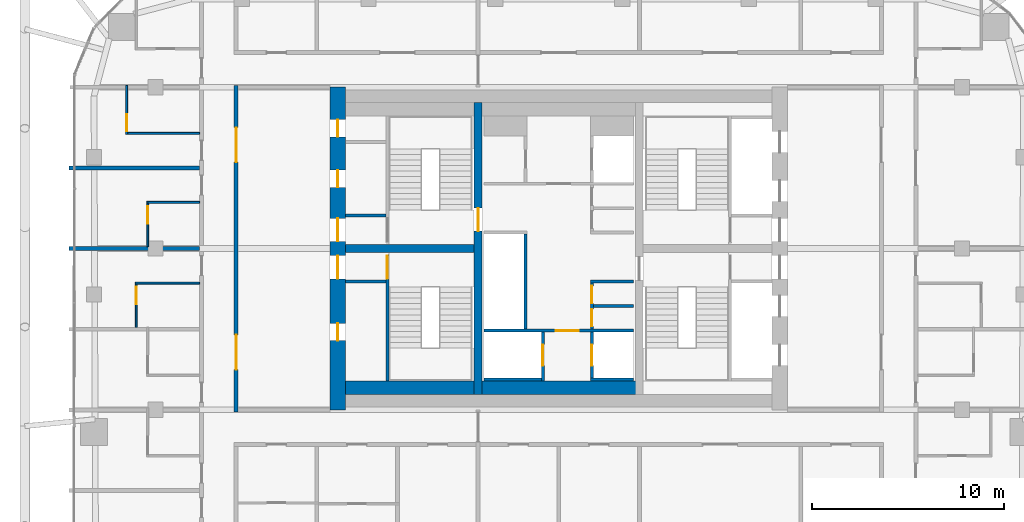
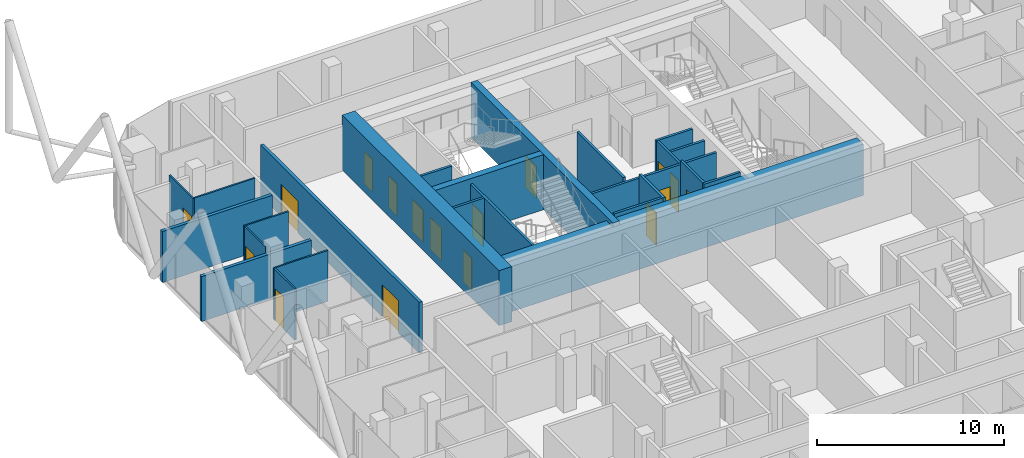
# One storey, part 27 of 31: 25 walls, 17 doors, 17 openings.
"""IFC4 building model written with IfcOpenShell, lengths in metres."""

from ifc_helpers import new_model, si_unit, direction, frame, frame_2d, origin, place, context, subcontext, project, spatial, rectangle, extrude, material, layer, layer_set, type_object, element, fill, save


model = new_model("IFC4")

# Units and contexts
model_context = context("Model", 3, precision=1e-05, world=origin(), true_north=direction((0.0, 1.0)))
body_context = subcontext(model_context, "Body", "Model", "MODEL_VIEW")
ifc_project = project(units=[si_unit("LENGTHUNIT", "METRE"), si_unit("AREAUNIT", "SQUARE_METRE"), si_unit("VOLUMEUNIT", "CUBIC_METRE"), si_unit("PLANEANGLEUNIT", "RADIAN"), si_unit("MASSUNIT", "GRAM", prefix="KILO")], contexts=[model_context])

# Site, building, storey
site_placement = place(None, origin())
site = spatial("IfcSite", under=ifc_project, at=site_placement, CompositionType="ELEMENT")
building_placement = place(site_placement, origin())
building = spatial("IfcBuilding", under=site, at=building_placement, Name="Marenta Gate Hotel Tower", CompositionType="ELEMENT")
storey_placement = place(building_placement, frame((0.0, 0.0, 191.300048828125)))
storey = spatial("IfcBuildingStorey", under=building, at=storey_placement, Name="L43", CompositionType="ELEMENT", Elevation=191.300048828125)

# Wall, openings, doors
ifc_material_1 = material(Name="Concrete blockwork", Category="masonry")
ifc_layer_1 = layer(ifc_material_1, 0.199951171875)
ifc_layer_set_1 = layer_set([ifc_layer_1], Name="Concrete blockwork")
wall_type_1 = type_object("IfcWallType", Name="Core boundary wall 200 REI 180", PredefinedType="PARTITIONING", material=ifc_layer_set_1)
wall_1_placement = place(storey_placement, frame((-16.800048828125, -0.10009765625, 0.0), z_axis=(0.0, 0.0, 1.0), x_axis=(0.0, 1.0, 0.0)))
wall_1 = element("IfcWall", 1, at=wall_1_placement, inside=storey, type_object=wall_type_1, Name="L43-CP-BW-W", PredefinedType="PARTITIONING", context=body_context, shape_type="SweptSolid", body=[
    extrude(rectangle(XDim=17.0, YDim=0.199951171875, at=frame_2d((8.5, 0.0))), origin(), (0.0, 0.0, 1.0), 3.33984375),
])
opening_1_placement = place(wall_1_placement, frame((2.199951171875, 0.0, 0.0)))
opening_1 = element("IfcOpeningElement", 2, at=opening_1_placement, cuts=wall_1, Name="Opening ED-Wa-B", PredefinedType="OPENING", context=body_context, shape_type="SweptSolid", body=[
    extrude(rectangle(XDim=1.800048828125, YDim=2.10009765625, at=frame_2d((0.89990234375, 1.050048828125))), frame((0.0, 0.10009765625, 0.0), z_axis=(0.0, -1.0, 0.0), x_axis=(1.0, 0.0, 0.0)), (0.0, 0.0, 1.0), 0.199951171875),
])
opening_2_placement = place(wall_1_placement, frame((13.0, 0.0, 0.0)))
opening_2 = element("IfcOpeningElement", 3, at=opening_2_placement, cuts=wall_1, Name="Opening ED-Wb-B", PredefinedType="OPENING", context=body_context, shape_type="SweptSolid", body=[
    extrude(rectangle(XDim=1.800048828125, YDim=2.10009765625, at=frame_2d((0.89990234375, 1.050048828125))), frame((0.0, 0.10009765625, 0.0), z_axis=(0.0, -1.0, 0.0), x_axis=(1.0, 0.0, 0.0)), (0.0, 0.0, 1.0), 0.199951171875),
])
ifc_material_2 = material(Name="Steel", Category="steel")
door_type_1 = type_object("IfcDoorType", Name="Core lobby entrance door 1800x2100 EI 60", OperationType="DOUBLE_DOOR_SINGLE_SWING", PredefinedType="DOOR", material=ifc_material_2)
door_1_placement = place(opening_1_placement, origin())
door_1 = element("IfcDoor", 4, at=door_1_placement, inside=storey, type_object=door_type_1, Name="ED-Wa-B", OperationType="DOUBLE_DOOR_SINGLE_SWING", OverallHeight=2.10009765625, OverallWidth=1.800048828125, PredefinedType="DOOR", context=body_context, shape_type="SweptSolid", body=[
    extrude(rectangle(XDim=1.800048828125, YDim=2.10009765625, at=frame_2d((0.89990234375, 1.050048828125))), frame((0.0, 0.02490234375, 0.0), z_axis=(0.0, -1.0, 0.0), x_axis=(1.0, 0.0, 0.0)), (0.0, 0.0, 1.0), 0.050048828125),
])
fill(opening_1, door_1)
door_2_placement = place(opening_2_placement, origin())
door_2 = element("IfcDoor", 5, at=door_2_placement, inside=storey, type_object=door_type_1, Name="ED-Wb-B", OperationType="DOUBLE_DOOR_SINGLE_SWING", OverallHeight=2.10009765625, OverallWidth=1.800048828125, PredefinedType="DOOR", context=body_context, shape_type="SweptSolid", body=[
    extrude(rectangle(XDim=1.800048828125, YDim=2.10009765625, at=frame_2d((0.89990234375, 1.050048828125))), frame((0.0, 0.02490234375, 0.0), z_axis=(0.0, -1.0, 0.0), x_axis=(1.0, 0.0, 0.0)), (0.0, 0.0, 1.0), 0.050048828125),
])
fill(opening_2, door_2)

# Wall
ifc_material_3 = material(Name="Concrete C40", Category="concrete")
ifc_layer_2 = layer(ifc_material_3, 0.699951171875)
ifc_layer_set_2 = layer_set([ifc_layer_2], Name="Concrete C40")
wall_type_2 = type_object("IfcWallType", Name="Core lining wall 700 REI 180", PredefinedType="PARTITIONING", material=ifc_layer_set_2)
wall_2_placement = place(storey_placement, frame((-11.10009765625, 1.14990234375, 0.0), z_axis=(0.0, 0.0, 1.0), x_axis=(1.0, 0.0, 0.0)))
element("IfcWall", 6, at=wall_2_placement, inside=storey, type_object=wall_type_2, Name="L43-CP-LN-S", PredefinedType="PARTITIONING", context=body_context, shape_type="SweptSolid", body=[
    extrude(rectangle(XDim=22.2001953125, YDim=0.699951171875, at=frame_2d((11.10009765625, 0.0))), origin(), (0.0, 0.0, 1.0), 3.33984375),
])

# Wall, opening, door
ifc_material_4 = material(Name="Concrete blockwork", Category="masonry")
ifc_layer_3 = layer(ifc_material_4, 0.14990234375)
ifc_layer_set_3 = layer_set([ifc_layer_3], Name="Concrete blockwork")
wall_type_3 = type_object("IfcWallType", Name="Core lobby partition 150 REI 180", PredefinedType="PARTITIONING", material=ifc_layer_set_3)
wall_3_placement = place(storey_placement, frame((-3.89990234375, 4.125, 0.0), z_axis=(0.0, 0.0, 1.0), x_axis=(1.0, 0.0, 0.0)))
wall_3 = element("IfcWall", 7, at=wall_3_placement, inside=storey, type_object=wall_type_3, Name="L43-CP-CW-S", PredefinedType="PARTITIONING", context=body_context, shape_type="SweptSolid", body=[
    extrude(rectangle(XDim=7.7998046875, YDim=0.14990234375, at=frame_2d((3.89990234375, 0.0))), origin(), (0.0, 0.0, 1.0), 3.33984375),
])
opening_3_placement = place(wall_3_placement, frame((3.75, 0.0, 0.0)))
opening_3 = element("IfcOpeningElement", 8, at=opening_3_placement, cuts=wall_3, Name="Opening FD-FFS", PredefinedType="OPENING", context=body_context, shape_type="SweptSolid", body=[
    extrude(rectangle(XDim=1.199951171875, YDim=2.10009765625, at=frame_2d((0.60009765625, 1.050048828125))), frame((0.0, 0.074951171875, 0.0), z_axis=(0.0, -1.0, 0.0), x_axis=(1.0, 0.0, 0.0)), (0.0, 0.0, 1.0), 0.14990234375),
])
ifc_material_5 = material(Name="Steel", Category="steel")
door_type_2 = type_object("IfcDoorType", Name="Core lobby door 1200x2100 FD60", OperationType="SINGLE_SWING_LEFT", PredefinedType="DOOR", material=ifc_material_5)
door_3_placement = place(opening_3_placement, origin())
door_3 = element("IfcDoor", 9, at=door_3_placement, inside=storey, type_object=door_type_2, Name="FD-FFS", OperationType="SINGLE_SWING_LEFT", OverallHeight=2.10009765625, OverallWidth=1.199951171875, PredefinedType="DOOR", context=body_context, shape_type="SweptSolid", body=[
    extrude(rectangle(XDim=1.199951171875, YDim=2.10009765625, at=frame_2d((0.60009765625, 1.050048828125))), frame((0.0, 0.02490234375, 0.0), z_axis=(0.0, -1.0, 0.0), x_axis=(1.0, 0.0, 0.0)), (0.0, 0.0, 1.0), 0.050048828125),
])
fill(opening_3, door_3)

# Walls
ifc_material_6 = material(Name="Concrete blockwork", Category="masonry")
ifc_layer_4 = layer(ifc_material_6, 0.14990234375)
ifc_layer_set_4 = layer_set([ifc_layer_4], Name="Concrete blockwork")
wall_type_4 = type_object("IfcWallType", Name="Core room partition 150 REI 180", PredefinedType="PARTITIONING", material=ifc_layer_set_4)
for number, where, z_axis, x_axis, name in (
    (10, (-11.10009765625, 6.675048828125, 0.0), (0.0, 0.0, 1.0), (1.0, 0.0, 0.0), "L43-CP-SW-WS-2"),
    (11, (-11.10009765625, 10.125, 0.0), (0.0, 0.0, 1.0), (1.0, 0.0, 0.0), "L43-CP-SW-WN-2"),
):
    element("IfcWall", number, at=place(storey_placement, frame(where, z_axis=z_axis, x_axis=x_axis)), inside=storey, type_object=wall_type_4, Name=name, PredefinedType="PARTITIONING", context=body_context, shape_type="SweptSolid", body=[
        extrude(rectangle(XDim=2.10009765625, YDim=0.14990234375, at=frame_2d((1.050048828125, 0.0))), origin(), (0.0, 0.0, 1.0), 3.33984375),
    ])
wall_4_placement = place(storey_placement, frame((1.64990234375, 6.675048828125, 0.0), z_axis=(0.0, 0.0, 1.0), x_axis=(1.0, 0.0, 0.0)))
element("IfcWall", 12, at=wall_4_placement, inside=storey, type_object=wall_type_4, Name="L43-CP-CE-sep1", PredefinedType="PARTITIONING", context=body_context, shape_type="SweptSolid", body=[
    extrude(rectangle(XDim=2.25, YDim=0.14990234375, at=frame_2d((1.125, 0.0))), origin(), (0.0, 0.0, 1.0), 3.33984375),
])

# Wall, openings, doors
wall_5_placement = place(storey_placement, frame((1.72509765625, 4.199951171875, 0.0), z_axis=(0.0, 0.0, 1.0), x_axis=(0.0, 1.0, 0.0)))
wall_5 = element("IfcWall", 13, at=wall_5_placement, inside=storey, type_object=wall_type_4, Name="L43-CP-CE-front-1", PredefinedType="PARTITIONING", context=body_context, shape_type="SweptSolid", body=[
    extrude(rectangle(XDim=2.400146484375, YDim=0.14990234375, at=frame_2d((1.2001953125, 0.0))), origin(), (0.0, 0.0, 1.0), 3.33984375),
])
opening_4_placement = place(wall_5_placement, frame((0.14990234375, 0.0, 0.0)))
opening_4 = element("IfcOpeningElement", 14, at=opening_4_placement, cuts=wall_5, Name="Opening RD-CE-1a", PredefinedType="OPENING", context=body_context, shape_type="SweptSolid", body=[
    extrude(rectangle(XDim=0.89990234375, YDim=2.10009765625, at=frame_2d((0.449951171875, 1.050048828125))), frame((0.0, 0.074951171875, 0.0), z_axis=(0.0, -1.0, 0.0), x_axis=(1.0, 0.0, 0.0)), (0.0, 0.0, 1.0), 0.14990234375),
])
opening_5_placement = place(wall_5_placement, frame((1.35009765625, 0.0, 0.0)))
opening_5 = element("IfcOpeningElement", 15, at=opening_5_placement, cuts=wall_5, Name="Opening RD-CE-1b-B", PredefinedType="OPENING", context=body_context, shape_type="SweptSolid", body=[
    extrude(rectangle(XDim=0.89990234375, YDim=2.10009765625, at=frame_2d((0.449951171875, 1.050048828125))), frame((0.0, 0.074951171875, 0.0), z_axis=(0.0, -1.0, 0.0), x_axis=(1.0, 0.0, 0.0)), (0.0, 0.0, 1.0), 0.14990234375),
])
ifc_material_7 = material(Name="Steel", Category="steel")
door_type_3 = type_object("IfcDoorType", Name="Core service room door 900x2100 FD30S", OperationType="SINGLE_SWING_LEFT", PredefinedType="DOOR", material=ifc_material_7)
door_4_placement = place(opening_4_placement, origin())
door_4 = element("IfcDoor", 16, at=door_4_placement, inside=storey, type_object=door_type_3, Name="RD-CE-1a", OperationType="SINGLE_SWING_LEFT", OverallHeight=2.10009765625, OverallWidth=0.89990234375, PredefinedType="DOOR", context=body_context, shape_type="SweptSolid", body=[
    extrude(rectangle(XDim=0.89990234375, YDim=2.10009765625, at=frame_2d((0.449951171875, 1.050048828125))), frame((0.0, 0.02490234375, 0.0), z_axis=(0.0, -1.0, 0.0), x_axis=(1.0, 0.0, 0.0)), (0.0, 0.0, 1.0), 0.050048828125),
])
fill(opening_4, door_4)
door_5_placement = place(opening_5_placement, origin())
door_5 = element("IfcDoor", 17, at=door_5_placement, inside=storey, type_object=door_type_3, Name="RD-CE-1b-B", OperationType="SINGLE_SWING_LEFT", OverallHeight=2.10009765625, OverallWidth=0.89990234375, PredefinedType="DOOR", context=body_context, shape_type="SweptSolid", body=[
    extrude(rectangle(XDim=0.89990234375, YDim=2.10009765625, at=frame_2d((0.449951171875, 1.050048828125))), frame((0.0, 0.02490234375, 0.0), z_axis=(0.0, -1.0, 0.0), x_axis=(1.0, 0.0, 0.0)), (0.0, 0.0, 1.0), 0.050048828125),
])
fill(opening_5, door_5)

# Wall
wall_6_placement = place(storey_placement, frame((1.800048828125, 5.39990234375, 0.0), z_axis=(0.0, 0.0, 1.0), x_axis=(1.0, 0.0, 0.0)))
element("IfcWall", 18, at=wall_6_placement, inside=storey, type_object=wall_type_4, Name="L43-CP-CE-RW-1", PredefinedType="PARTITIONING", context=body_context, shape_type="SweptSolid", body=[
    extrude(rectangle(XDim=2.099853515625, YDim=0.14990234375, at=frame_2d((1.0498046875, 0.0))), origin(), (0.0, 0.0, 1.0), 3.33984375),
])

# Wall, opening, door
ifc_material_8 = material(Name="Concrete C40", Category="concrete")
ifc_layer_5 = layer(ifc_material_8, 0.14990234375)
ifc_layer_set_5 = layer_set([ifc_layer_5], Name="Concrete C40")
wall_type_5 = type_object("IfcWallType", Name="Core shaft wall 150 REI 180", PredefinedType="SHEAR", material=ifc_layer_set_5)
wall_7_placement = place(storey_placement, frame((-0.824951171875, 1.5, 0.0), z_axis=(0.0, 0.0, 1.0), x_axis=(0.0, 1.0, 0.0)))
wall_7 = element("IfcWall", 19, at=wall_7_placement, inside=storey, type_object=wall_type_5, Name="L43-SHF-CW-W-ff", PredefinedType="SHEAR", context=body_context, shape_type="SweptSolid", body=[
    extrude(rectangle(XDim=2.550048828125, YDim=0.14990234375, at=frame_2d((1.27490234375, 0.0))), origin(), (0.0, 0.0, 1.0), 3.599853515625),
])
opening_6_placement = place(wall_7_placement, frame((0.800048828125, 0.0, 0.0)))
opening_6 = element("IfcOpeningElement", 20, at=opening_6_placement, cuts=wall_7, Name="Opening LD-FF1", PredefinedType="OPENING", context=body_context, shape_type="SweptSolid", body=[
    extrude(rectangle(XDim=1.10009765625, YDim=2.10009765625, at=frame_2d((0.550048828125, 1.050048828125))), frame((0.0, 0.074951171875, 0.0), z_axis=(0.0, -1.0, 0.0), x_axis=(1.0, 0.0, 0.0)), (0.0, 0.0, 1.0), 0.14990234375),
])
ifc_material_9 = material(Name="Steel", Category="steel")
door_type_4 = type_object("IfcDoorType", Name="Core lift landing door 1100x2100 E 60", OperationType="SLIDING_TO_LEFT", PredefinedType="DOOR", material=ifc_material_9)
door_6_placement = place(opening_6_placement, origin())
door_6 = element("IfcDoor", 21, at=door_6_placement, inside=storey, type_object=door_type_4, Name="LD-FF1", OperationType="SLIDING_TO_LEFT", OverallHeight=2.10009765625, OverallWidth=1.10009765625, PredefinedType="DOOR", context=body_context, shape_type="SweptSolid", body=[
    extrude(rectangle(XDim=1.10009765625, YDim=2.10009765625, at=frame_2d((0.550048828125, 1.050048828125))), frame((0.0, 0.02490234375, 0.0), z_axis=(0.0, -1.0, 0.0), x_axis=(1.0, 0.0, 0.0)), (0.0, 0.0, 1.0), 0.050048828125),
])
fill(opening_6, door_6)

# Walls
wall_8_placement = place(storey_placement, frame((-3.89990234375, 1.574951171875, 0.0), z_axis=(0.0, 0.0, 1.0), x_axis=(1.0, 0.0, 0.0)))
element("IfcWall", 22, at=wall_8_placement, inside=storey, type_object=wall_type_5, Name="L43-SHF-CW-W-ffs", PredefinedType="SHEAR", context=body_context, shape_type="SweptSolid", body=[
    extrude(rectangle(XDim=3.0, YDim=0.14990234375, at=frame_2d((1.5, 0.0))), origin(), (0.0, 0.0, 1.0), 3.599853515625),
])
wall_9_placement = place(storey_placement, frame((-1.72509765625, 4.199951171875, 0.0), z_axis=(0.0, 0.0, 1.0), x_axis=(0.0, 1.0, 0.0)))
element("IfcWall", 23, at=wall_9_placement, inside=storey, type_object=wall_type_5, Name="L43-SHF-CW-W-front", PredefinedType="SHEAR", context=body_context, shape_type="SweptSolid", body=[
    extrude(rectangle(XDim=4.949951171875, YDim=0.14990234375, at=frame_2d((2.47509765625, 0.0))), origin(), (0.0, 0.0, 1.0), 3.599853515625),
])

# Wall, opening, door
wall_10_placement = place(storey_placement, frame((1.72509765625, 1.64990234375, 0.0), z_axis=(0.0, 0.0, 1.0), x_axis=(0.0, 1.0, 0.0)))
wall_10 = element("IfcWall", 24, at=wall_10_placement, inside=storey, type_object=wall_type_5, Name="L43-SHF-CE-S-ls", PredefinedType="SHEAR", context=body_context, shape_type="SweptSolid", body=[
    extrude(rectangle(XDim=2.400146484375, YDim=0.14990234375, at=frame_2d((1.2001953125, 0.0))), origin(), (0.0, 0.0, 1.0), 3.599853515625),
])
opening_7_placement = place(wall_10_placement, frame((0.64990234375, 0.0, 0.0)))
opening_7 = element("IfcOpeningElement", 25, at=opening_7_placement, cuts=wall_10, Name="Opening LD-SV1", PredefinedType="OPENING", context=body_context, shape_type="SweptSolid", body=[
    extrude(rectangle(XDim=1.10009765625, YDim=2.10009765625, at=frame_2d((0.550048828125, 1.050048828125))), frame((0.0, 0.074951171875, 0.0), z_axis=(0.0, -1.0, 0.0), x_axis=(1.0, 0.0, 0.0)), (0.0, 0.0, 1.0), 0.14990234375),
])
door_7_placement = place(opening_7_placement, origin())
door_7 = element("IfcDoor", 26, at=door_7_placement, inside=storey, type_object=door_type_4, Name="LD-SV1", OperationType="SLIDING_TO_LEFT", OverallHeight=2.10009765625, OverallWidth=1.10009765625, PredefinedType="DOOR", context=body_context, shape_type="SweptSolid", body=[
    extrude(rectangle(XDim=1.10009765625, YDim=2.10009765625, at=frame_2d((0.550048828125, 1.050048828125))), frame((0.0, 0.02490234375, 0.0), z_axis=(0.0, -1.0, 0.0), x_axis=(1.0, 0.0, 0.0)), (0.0, 0.0, 1.0), 0.050048828125),
])
fill(opening_7, door_7)

# Wall
wall_11_placement = place(storey_placement, frame((1.64990234375, 1.574951171875, 0.0), z_axis=(0.0, 0.0, 1.0), x_axis=(1.0, 0.0, 0.0)))
element("IfcWall", 27, at=wall_11_placement, inside=storey, type_object=wall_type_5, Name="L43-SHF-CE-S-bot", PredefinedType="SHEAR", context=body_context, shape_type="SweptSolid", body=[
    extrude(rectangle(XDim=2.25, YDim=0.14990234375, at=frame_2d((1.125, 0.0))), origin(), (0.0, 0.0, 1.0), 3.599853515625),
])

# Wall, opening, door
ifc_material_10 = material(Name="Concrete C40", Category="concrete")
ifc_layer_6 = layer(ifc_material_10, 0.14990234375)
ifc_layer_set_6 = layer_set([ifc_layer_6], Name="Concrete C40")
wall_type_6 = type_object("IfcWallType", Name="Core stair enclosure wall 150 REI 180", PredefinedType="SHEAR", material=ifc_layer_set_6)
wall_12_placement = place(storey_placement, frame((-8.925048828125, 1.5, 0.0), z_axis=(0.0, 0.0, 1.0), x_axis=(0.0, 1.0, 0.0)))
wall_12 = element("IfcWall", 28, at=wall_12_placement, inside=storey, type_object=wall_type_6, Name="L43-SHF-SW-WS-3", PredefinedType="SHEAR", context=body_context, shape_type="SweptSolid", body=[
    extrude(rectangle(XDim=6.60009765625, YDim=0.14990234375, at=frame_2d((3.300048828125, 0.0))), origin(), (0.0, 0.0, 1.0), 3.33984375),
])
opening_8_placement = place(wall_12_placement, frame((5.324951171875, 0.0, 0.0)))
opening_8 = element("IfcOpeningElement", 29, at=opening_8_placement, cuts=wall_12, Name="Opening SD-WS", PredefinedType="OPENING", context=body_context, shape_type="SweptSolid", body=[
    extrude(rectangle(XDim=1.199951171875, YDim=2.10009765625, at=frame_2d((0.60009765625, 1.050048828125))), frame((0.0, 0.074951171875, 0.0), z_axis=(0.0, -1.0, 0.0), x_axis=(1.0, 0.0, 0.0)), (0.0, 0.0, 1.0), 0.14990234375),
])
ifc_material_11 = material(Name="Steel", Category="steel")
door_type_5 = type_object("IfcDoorType", Name="Core stair door 1200x2100 FD60", OperationType="SINGLE_SWING_LEFT", PredefinedType="DOOR", material=ifc_material_11)
door_8_placement = place(opening_8_placement, origin())
door_8 = element("IfcDoor", 30, at=door_8_placement, inside=storey, type_object=door_type_5, Name="SD-WS", OperationType="SINGLE_SWING_LEFT", OverallHeight=2.10009765625, OverallWidth=1.199951171875, PredefinedType="DOOR", context=body_context, shape_type="SweptSolid", body=[
    extrude(rectangle(XDim=1.199951171875, YDim=2.10009765625, at=frame_2d((0.60009765625, 1.050048828125))), frame((0.0, 0.02490234375, 0.0), z_axis=(0.0, -1.0, 0.0), x_axis=(1.0, 0.0, 0.0)), (0.0, 0.0, 1.0), 0.050048828125),
])
fill(opening_8, door_8)

# Wall, openings, doors
ifc_material_12 = material(Name="Concrete C60", Category="concrete")
ifc_layer_7 = layer(ifc_material_12, 0.800048828125)
ifc_layer_set_7 = layer_set([ifc_layer_7], Name="Concrete C60")
wall_type_7 = type_object("IfcWallType", Name="Core wall 800 C60", PredefinedType="SHEAR", material=ifc_layer_set_7)
wall_13_placement = place(storey_placement, frame((-11.5, 0.0, 0.0), z_axis=(0.0, 0.0, 1.0), x_axis=(0.0, 1.0, 0.0)))
wall_13 = element("IfcWall", 31, at=wall_13_placement, inside=storey, type_object=wall_type_7, Name="L43-CORE-W", PredefinedType="SHEAR", context=body_context, shape_type="SweptSolid", body=[
    extrude(rectangle(XDim=16.800048828125, YDim=0.800048828125, at=frame_2d((8.39990234375, 0.0))), origin(), (0.0, 0.0, 1.0), 3.599853515625),
])
opening_9_placement = place(wall_13_placement, frame((3.60009765625, 0.0, 0.0)))
opening_9 = element("IfcOpeningElement", 32, at=opening_9_placement, cuts=wall_13, Name="Opening RD-WS-1", PredefinedType="OPENING", context=body_context, shape_type="SweptSolid", body=[
    extrude(rectangle(XDim=0.89990234375, YDim=2.10009765625, at=frame_2d((0.449951171875, 1.050048828125))), frame((0.0, 0.39990234375, 0.0), z_axis=(0.0, -1.0, 0.0), x_axis=(1.0, 0.0, 0.0)), (0.0, 0.0, 1.0), 0.800048828125),
])
opening_10_placement = place(wall_13_placement, frame((6.824951171875, 0.0, 0.0)))
opening_10 = element("IfcOpeningElement", 33, at=opening_10_placement, cuts=wall_13, Name="Opening PD-WS", PredefinedType="OPENING", context=body_context, shape_type="SweptSolid", body=[
    extrude(rectangle(XDim=1.199951171875, YDim=2.10009765625, at=frame_2d((0.60009765625, 1.050048828125))), frame((0.0, 0.39990234375, 0.0), z_axis=(0.0, -1.0, 0.0), x_axis=(1.0, 0.0, 0.0)), (0.0, 0.0, 1.0), 0.800048828125),
])
opening_11_placement = place(wall_13_placement, frame((14.21240234375, 0.0, 0.0)))
opening_11 = element("IfcOpeningElement", 34, at=opening_11_placement, cuts=wall_13, Name="Opening RD-WN-1", PredefinedType="OPENING", context=body_context, shape_type="SweptSolid", body=[
    extrude(rectangle(XDim=0.89990234375, YDim=2.10009765625, at=frame_2d((0.449951171875, 1.050048828125))), frame((0.0, 0.39990234375, 0.0), z_axis=(0.0, -1.0, 0.0), x_axis=(1.0, 0.0, 0.0)), (0.0, 0.0, 1.0), 0.800048828125),
])
opening_12_placement = place(wall_13_placement, frame((11.58740234375, 0.0, 0.0)))
opening_12 = element("IfcOpeningElement", 35, at=opening_12_placement, cuts=wall_13, Name="Opening RD-WN-2", PredefinedType="OPENING", context=body_context, shape_type="SweptSolid", body=[
    extrude(rectangle(XDim=0.89990234375, YDim=2.10009765625, at=frame_2d((0.449951171875, 1.050048828125))), frame((0.0, 0.39990234375, 0.0), z_axis=(0.0, -1.0, 0.0), x_axis=(1.0, 0.0, 0.0)), (0.0, 0.0, 1.0), 0.800048828125),
])
opening_13_placement = place(wall_13_placement, frame((8.77490234375, 0.0, 0.0)))
opening_13 = element("IfcOpeningElement", 36, at=opening_13_placement, cuts=wall_13, Name="Opening PD-WN", PredefinedType="OPENING", context=body_context, shape_type="SweptSolid", body=[
    extrude(rectangle(XDim=1.199951171875, YDim=2.10009765625, at=frame_2d((0.60009765625, 1.050048828125))), frame((0.0, 0.39990234375, 0.0), z_axis=(0.0, -1.0, 0.0), x_axis=(1.0, 0.0, 0.0)), (0.0, 0.0, 1.0), 0.800048828125),
])
door_9_placement = place(opening_10_placement, origin())
door_9 = element("IfcDoor", 37, at=door_9_placement, inside=storey, type_object=door_type_2, Name="PD-WS", OperationType="SINGLE_SWING_LEFT", OverallHeight=2.10009765625, OverallWidth=1.199951171875, PredefinedType="DOOR", context=body_context, shape_type="SweptSolid", body=[
    extrude(rectangle(XDim=1.199951171875, YDim=2.10009765625, at=frame_2d((0.60009765625, 1.050048828125))), frame((0.0, 0.02490234375, 0.0), z_axis=(0.0, -1.0, 0.0), x_axis=(1.0, 0.0, 0.0)), (0.0, 0.0, 1.0), 0.050048828125),
])
fill(opening_10, door_9)
door_10_placement = place(opening_13_placement, origin())
door_10 = element("IfcDoor", 38, at=door_10_placement, inside=storey, type_object=door_type_2, Name="PD-WN", OperationType="SINGLE_SWING_LEFT", OverallHeight=2.10009765625, OverallWidth=1.199951171875, PredefinedType="DOOR", context=body_context, shape_type="SweptSolid", body=[
    extrude(rectangle(XDim=1.199951171875, YDim=2.10009765625, at=frame_2d((0.60009765625, 1.050048828125))), frame((0.0, 0.02490234375, 0.0), z_axis=(0.0, -1.0, 0.0), x_axis=(1.0, 0.0, 0.0)), (0.0, 0.0, 1.0), 0.050048828125),
])
fill(opening_13, door_10)
door_11_placement = place(opening_9_placement, origin())
door_11 = element("IfcDoor", 39, at=door_11_placement, inside=storey, type_object=door_type_3, Name="RD-WS-1", OperationType="SINGLE_SWING_LEFT", OverallHeight=2.10009765625, OverallWidth=0.89990234375, PredefinedType="DOOR", context=body_context, shape_type="SweptSolid", body=[
    extrude(rectangle(XDim=0.89990234375, YDim=2.10009765625, at=frame_2d((0.449951171875, 1.050048828125))), frame((0.0, 0.02490234375, 0.0), z_axis=(0.0, -1.0, 0.0), x_axis=(1.0, 0.0, 0.0)), (0.0, 0.0, 1.0), 0.050048828125),
])
fill(opening_9, door_11)
door_12_placement = place(opening_11_placement, origin())
door_12 = element("IfcDoor", 40, at=door_12_placement, inside=storey, type_object=door_type_3, Name="RD-WN-1", OperationType="SINGLE_SWING_LEFT", OverallHeight=2.10009765625, OverallWidth=0.89990234375, PredefinedType="DOOR", context=body_context, shape_type="SweptSolid", body=[
    extrude(rectangle(XDim=0.89990234375, YDim=2.10009765625, at=frame_2d((0.449951171875, 1.050048828125))), frame((0.0, 0.02490234375, 0.0), z_axis=(0.0, -1.0, 0.0), x_axis=(1.0, 0.0, 0.0)), (0.0, 0.0, 1.0), 0.050048828125),
])
fill(opening_11, door_12)
door_13_placement = place(opening_12_placement, origin())
door_13 = element("IfcDoor", 41, at=door_13_placement, inside=storey, type_object=door_type_3, Name="RD-WN-2", OperationType="SINGLE_SWING_LEFT", OverallHeight=2.10009765625, OverallWidth=0.89990234375, PredefinedType="DOOR", context=body_context, shape_type="SweptSolid", body=[
    extrude(rectangle(XDim=0.89990234375, YDim=2.10009765625, at=frame_2d((0.449951171875, 1.050048828125))), frame((0.0, 0.02490234375, 0.0), z_axis=(0.0, -1.0, 0.0), x_axis=(1.0, 0.0, 0.0)), (0.0, 0.0, 1.0), 0.050048828125),
])
fill(opening_12, door_13)

# Wall, opening, door
ifc_material_13 = material(Name="Concrete C60", Category="concrete")
ifc_layer_8 = layer(ifc_material_13, 0.39990234375)
ifc_layer_set_8 = layer_set([ifc_layer_8], Name="Concrete C60")
wall_type_8 = type_object("IfcWallType", Name="Core web 400 C60", PredefinedType="SHEAR", material=ifc_layer_set_8)
wall_14_placement = place(storey_placement, frame((-4.199951171875, 0.800048828125, 0.0), z_axis=(0.0, 0.0, 1.0), x_axis=(0.0, 1.0, 0.0)))
wall_14 = element("IfcWall", 42, at=wall_14_placement, inside=storey, type_object=wall_type_8, Name="L43-CORE-W1", PredefinedType="SHEAR", context=body_context, shape_type="SweptSolid", body=[
    extrude(rectangle(XDim=15.199951171875, YDim=0.39990234375, at=frame_2d((7.60009765625, 0.0))), origin(), (0.0, 0.0, 1.0), 3.599853515625),
])
opening_14_placement = place(wall_14_placement, frame((8.5, 0.0, 0.0)))
opening_14 = element("IfcOpeningElement", 43, at=opening_14_placement, cuts=wall_14, Name="Opening WD-W", PredefinedType="OPENING", context=body_context, shape_type="SweptSolid", body=[
    extrude(rectangle(XDim=1.199951171875, YDim=2.10009765625, at=frame_2d((0.60009765625, 1.050048828125))), frame((0.0, 0.199951171875, 0.0), z_axis=(0.0, -1.0, 0.0), x_axis=(1.0, 0.0, 0.0)), (0.0, 0.0, 1.0), 0.39990234375),
])
door_14_placement = place(opening_14_placement, origin())
door_14 = element("IfcDoor", 44, at=door_14_placement, inside=storey, type_object=door_type_5, Name="WD-W", OperationType="SINGLE_SWING_LEFT", OverallHeight=2.10009765625, OverallWidth=1.199951171875, PredefinedType="DOOR", context=body_context, shape_type="SweptSolid", body=[
    extrude(rectangle(XDim=1.199951171875, YDim=2.10009765625, at=frame_2d((0.60009765625, 1.050048828125))), frame((0.0, 0.02490234375, 0.0), z_axis=(0.0, -1.0, 0.0), x_axis=(1.0, 0.0, 0.0)), (0.0, 0.0, 1.0), 0.050048828125),
])
fill(opening_14, door_14)

# Walls
wall_15_placement = place(storey_placement, frame((-11.10009765625, 8.39990234375, 0.0), z_axis=(0.0, 0.0, 1.0), x_axis=(1.0, 0.0, 0.0)))
element("IfcWall", 45, at=wall_15_placement, inside=storey, type_object=wall_type_8, Name="L43-CORE-W3", PredefinedType="SHEAR", context=body_context, shape_type="SweptSolid", body=[
    extrude(rectangle(XDim=6.7001953125, YDim=0.39990234375, at=frame_2d((3.35009765625, 0.0))), origin(), (0.0, 0.0, 1.0), 3.599853515625),
])
ifc_material_14 = material(Name="Gypsum board on steel stud", Category="steel")
ifc_layer_9 = layer(ifc_material_14, 0.10009765625)
ifc_layer_set_9 = layer_set([ifc_layer_9], Name="Gypsum board on steel stud")
wall_type_9 = type_object("IfcWallType", Name="Room partition 100", PredefinedType="PARTITIONING", material=ifc_layer_set_9)
wall_16_placement = place(storey_placement, frame((-22.050048828125, 6.60009765625, 0.0), z_axis=(0.0, 0.0, 1.0), x_axis=(1.0, 0.0, 0.0)))
element("IfcWall", 46, at=wall_16_placement, inside=storey, type_object=wall_type_9, Name="L43-PTN-W087", PredefinedType="PARTITIONING", context=body_context, shape_type="SweptSolid", body=[
    extrude(rectangle(XDim=3.35009765625, YDim=0.10009765625, at=frame_2d((1.675048828125, 0.0))), origin(), (0.0, 0.0, 1.0), 3.33984375),
])
wall_17_placement = place(storey_placement, frame((-21.449951171875, 10.800048828125, 0.0), z_axis=(0.0, 0.0, 1.0), x_axis=(1.0, 0.0, 0.0)))
element("IfcWall", 47, at=wall_17_placement, inside=storey, type_object=wall_type_9, Name="L43-PTN-W097", PredefinedType="PARTITIONING", context=body_context, shape_type="SweptSolid", body=[
    extrude(rectangle(XDim=2.75, YDim=0.10009765625, at=frame_2d((1.375, 0.0))), origin(), (0.0, 0.0, 1.0), 3.33984375),
])
wall_18_placement = place(storey_placement, frame((-22.449951171875, 14.39990234375, 0.0), z_axis=(0.0, 0.0, 1.0), x_axis=(1.0, 0.0, 0.0)))
element("IfcWall", 48, at=wall_18_placement, inside=storey, type_object=wall_type_9, Name="L43-PTN-W104", PredefinedType="PARTITIONING", context=body_context, shape_type="SweptSolid", body=[
    extrude(rectangle(XDim=3.75, YDim=0.10009765625, at=frame_2d((1.875, 0.0))), origin(), (0.0, 0.0, 1.0), 3.33984375),
])

# Wall, opening, door
wall_19_placement = place(storey_placement, frame((-21.39990234375, 8.5, 0.0), z_axis=(0.0, 0.0, 1.0), x_axis=(0.0, 1.0, 0.0)))
wall_19 = element("IfcWall", 49, at=wall_19_placement, inside=storey, type_object=wall_type_9, Name="L43-PTN-W118", PredefinedType="PARTITIONING", context=body_context, shape_type="SweptSolid", body=[
    extrude(rectangle(XDim=2.25, YDim=0.10009765625, at=frame_2d((1.125, 0.0))), origin(), (0.0, 0.0, 1.0), 3.33984375),
])
opening_15_placement = place(wall_19_placement, frame((1.199951171875, 0.0, 0.0)))
opening_15 = element("IfcOpeningElement", 50, at=opening_15_placement, cuts=wall_19, Name="Opening G15-71", PredefinedType="OPENING", context=body_context, shape_type="SweptSolid", body=[
    extrude(rectangle(XDim=0.89990234375, YDim=2.10009765625, at=frame_2d((0.449951171875, 1.050048828125))), frame((0.0, 0.050048828125, 0.0), z_axis=(0.0, -1.0, 0.0), x_axis=(1.0, 0.0, 0.0)), (0.0, 0.0, 1.0), 0.10009765625),
])
ifc_material_15 = material(Name="Timber door leaf", Category="wood")
door_type_6 = type_object("IfcDoorType", Name="Guest bathroom door 900x2100", OperationType="NOTDEFINED", PredefinedType="DOOR", material=ifc_material_15)
door_15_placement = place(opening_15_placement, origin())
door_15 = element("IfcDoor", 51, at=door_15_placement, inside=storey, type_object=door_type_6, Name="L43-PD-D071", OperationType="SINGLE_SWING_LEFT", OverallHeight=2.10009765625, OverallWidth=0.89990234375, PredefinedType="DOOR", context=body_context, shape_type="SweptSolid", body=[
    extrude(rectangle(XDim=0.89990234375, YDim=2.10009765625, at=frame_2d((0.449951171875, 1.050048828125))), frame((0.0, 0.02490234375, 0.0), z_axis=(0.0, -1.0, 0.0), x_axis=(1.0, 0.0, 0.0)), (0.0, 0.0, 1.0), 0.050048828125),
])
fill(opening_15, door_15)

wall_20_placement = place(storey_placement, frame((-22.0, 4.300048828125, 0.0), z_axis=(0.0, 0.0, 1.0), x_axis=(0.0, 1.0, 0.0)))
wall_20 = element("IfcWall", 52, at=wall_20_placement, inside=storey, type_object=wall_type_9, Name="L43-PTN-W121", PredefinedType="PARTITIONING", context=body_context, shape_type="SweptSolid", body=[
    extrude(rectangle(XDim=2.25, YDim=0.10009765625, at=frame_2d((1.125, 0.0))), origin(), (0.0, 0.0, 1.0), 3.33984375),
])
opening_16_placement = place(wall_20_placement, frame((1.199951171875, 0.0, 0.0)))
opening_16 = element("IfcOpeningElement", 53, at=opening_16_placement, cuts=wall_20, Name="Opening G15-69", PredefinedType="OPENING", context=body_context, shape_type="SweptSolid", body=[
    extrude(rectangle(XDim=0.89990234375, YDim=2.10009765625, at=frame_2d((0.449951171875, 1.050048828125))), frame((0.0, 0.050048828125, 0.0), z_axis=(0.0, -1.0, 0.0), x_axis=(1.0, 0.0, 0.0)), (0.0, 0.0, 1.0), 0.10009765625),
])
door_16_placement = place(opening_16_placement, origin())
door_16 = element("IfcDoor", 54, at=door_16_placement, inside=storey, type_object=door_type_6, Name="L43-PD-D069", OperationType="SINGLE_SWING_LEFT", OverallHeight=2.10009765625, OverallWidth=0.89990234375, PredefinedType="DOOR", context=body_context, shape_type="SweptSolid", body=[
    extrude(rectangle(XDim=0.89990234375, YDim=2.10009765625, at=frame_2d((0.449951171875, 1.050048828125))), frame((0.0, 0.02490234375, 0.0), z_axis=(0.0, -1.0, 0.0), x_axis=(1.0, 0.0, 0.0)), (0.0, 0.0, 1.0), 0.050048828125),
])
fill(opening_16, door_16)

wall_21_placement = place(storey_placement, frame((-22.5, 14.35009765625, 0.0), z_axis=(0.0, 0.0, 1.0), x_axis=(0.0, 1.0, 0.0)))
wall_21 = element("IfcWall", 55, at=wall_21_placement, inside=storey, type_object=wall_type_9, Name="L43-PTN-W126", PredefinedType="PARTITIONING", context=body_context, shape_type="SweptSolid", body=[
    extrude(rectangle(XDim=2.5498046875, YDim=0.10009765625, at=frame_2d((1.27490234375, 0.0))), origin(), (0.0, 0.0, 1.0), 3.33984375),
])
opening_17_placement = place(wall_21_placement, frame((0.14990234375, 0.0, 0.0)))
opening_17 = element("IfcOpeningElement", 56, at=opening_17_placement, cuts=wall_21, Name="Opening G15-73", PredefinedType="OPENING", context=body_context, shape_type="SweptSolid", body=[
    extrude(rectangle(XDim=0.89990234375, YDim=2.10009765625, at=frame_2d((0.449951171875, 1.050048828125))), frame((0.0, 0.050048828125, 0.0), z_axis=(0.0, -1.0, 0.0), x_axis=(1.0, 0.0, 0.0)), (0.0, 0.0, 1.0), 0.10009765625),
])
door_17_placement = place(opening_17_placement, origin())
door_17 = element("IfcDoor", 57, at=door_17_placement, inside=storey, type_object=door_type_6, Name="L43-PD-D073", OperationType="SINGLE_SWING_RIGHT", OverallHeight=2.10009765625, OverallWidth=0.89990234375, PredefinedType="DOOR", context=body_context, shape_type="SweptSolid", body=[
    extrude(rectangle(XDim=0.89990234375, YDim=2.10009765625, at=frame_2d((0.449951171875, 1.050048828125))), frame((0.0, 0.02490234375, 0.0), z_axis=(0.0, -1.0, 0.0), x_axis=(1.0, 0.0, 0.0)), (0.0, 0.0, 1.0), 0.050048828125),
])
fill(opening_17, door_17)

# Walls
ifc_material_16 = material(Name="Gypsum board on steel stud", Category="steel")
ifc_layer_10 = layer(ifc_material_16, 0.199951171875)
ifc_layer_set_10 = layer_set([ifc_layer_10], Name="Gypsum board on steel stud")
wall_type_10 = type_object("IfcWallType", Name="Room party wall 200 EI 60", PredefinedType="PARTITIONING", material=ifc_layer_set_10)
wall_22_placement = place(storey_placement, frame((-25.5, 8.39990234375, 0.0), z_axis=(0.0, 0.0, 1.0), x_axis=(1.0, 0.0, 0.0)))
element("IfcWall", 58, at=wall_22_placement, inside=storey, type_object=wall_type_10, Name="L43-PTN-W093", PredefinedType="PARTITIONING", context=body_context, shape_type="SweptSolid", body=[
    extrude(rectangle(XDim=6.800048828125, YDim=0.199951171875, at=frame_2d((3.39990234375, 0.0))), origin(), (0.0, 0.0, 1.0), 2.93994140625),
])
wall_23_placement = place(storey_placement, frame((-25.5, 12.60009765625, 0.0), z_axis=(0.0, 0.0, 1.0), x_axis=(1.0, 0.0, 0.0)))
element("IfcWall", 59, at=wall_23_placement, inside=storey, type_object=wall_type_10, Name="L43-PTN-W103", PredefinedType="PARTITIONING", context=body_context, shape_type="SweptSolid", body=[
    extrude(rectangle(XDim=6.800048828125, YDim=0.199951171875, at=frame_2d((3.39990234375, 0.0))), origin(), (0.0, 0.0, 1.0), 3.33984375),
])

save(model, "model.ifc")
